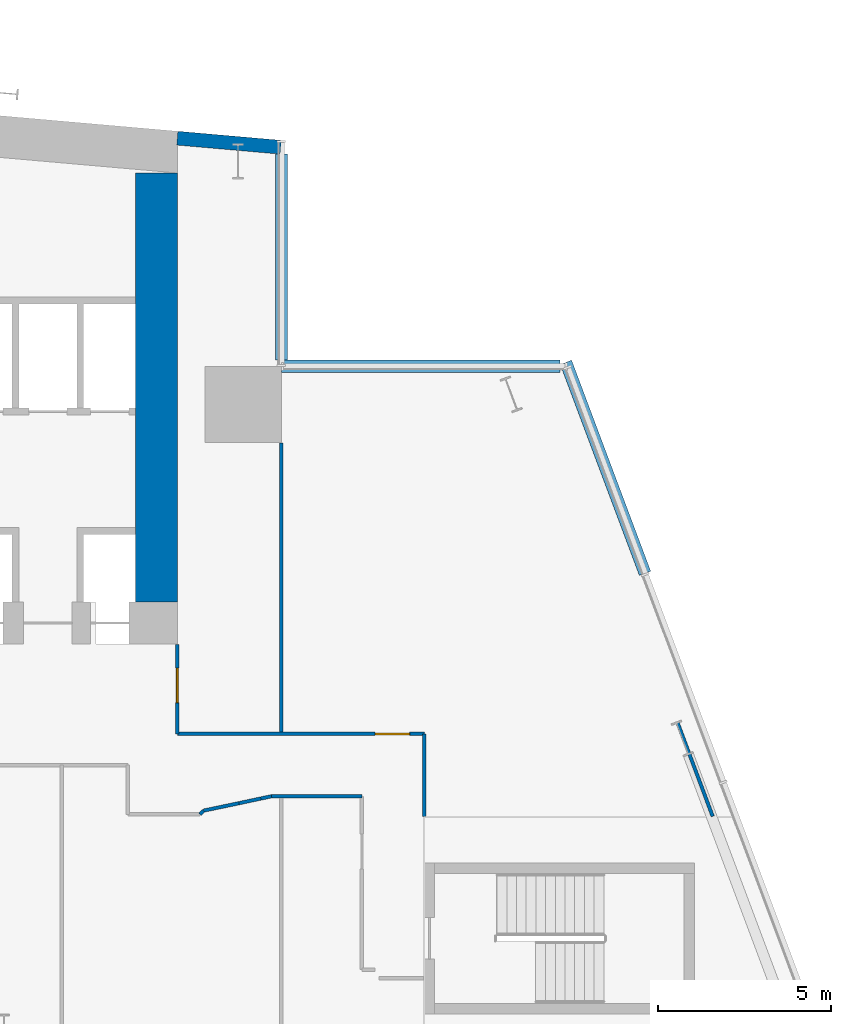
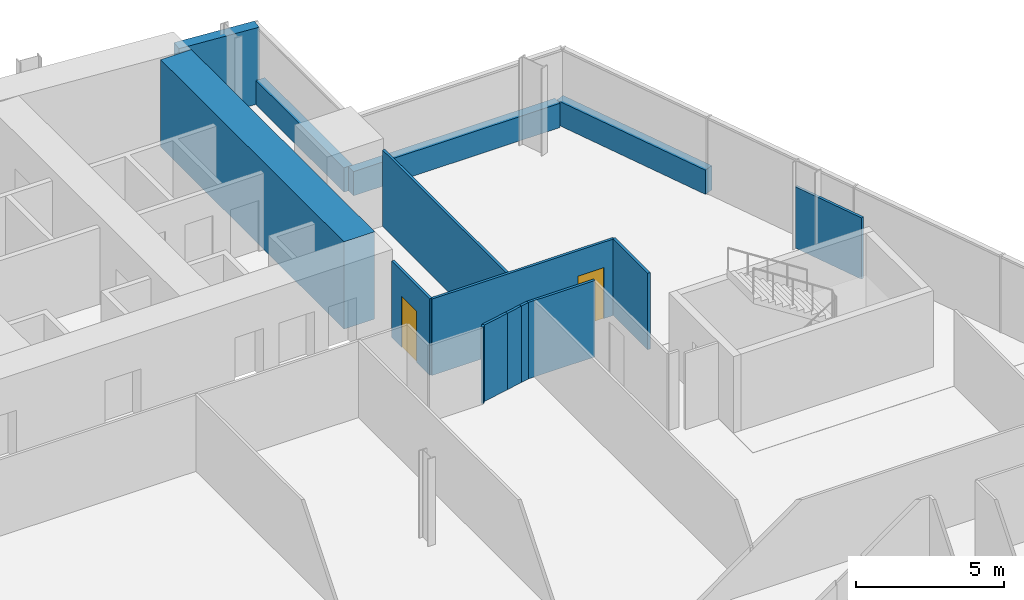
# One storey, part 19 of 24: 15 walls, 2 doors, 2 openings.
"""IFC4 building model written with IfcOpenShell, lengths in metres."""

from ifc_helpers import new_model, si_unit, direction, frame, frame_2d, origin, place, context, subcontext, project, spatial, rectangle, extrude, material, layer, layer_set, type_object, element, fill, save


model = new_model("IFC4")

# Units and contexts
model_context = context("Model", 3, precision=1e-05, world=origin(), true_north=direction((0.0, 1.0)))
body_context = subcontext(model_context, "Body", "Model", "MODEL_VIEW")
ifc_project = project(units=[si_unit("LENGTHUNIT", "METRE"), si_unit("AREAUNIT", "SQUARE_METRE"), si_unit("VOLUMEUNIT", "CUBIC_METRE"), si_unit("PLANEANGLEUNIT", "RADIAN"), si_unit("MASSUNIT", "GRAM", prefix="KILO")], contexts=[model_context])

# Site, building, storey
site_placement = place(None, origin())
site = spatial("IfcSite", under=ifc_project, at=site_placement, CompositionType="ELEMENT")
building_placement = place(site_placement, origin())
building = spatial("IfcBuilding", under=site, at=building_placement, Name="Wharfspan Tower", CompositionType="ELEMENT")
storey_placement = place(building_placement, frame((0.0, 0.0, 88.300049)))
storey = spatial("IfcBuildingStorey", under=building, at=storey_placement, Name="L19", CompositionType="ELEMENT", Elevation=88.300049)

# Wall, opening, door
ifc_material_1 = material(Name="Gypsum board on steel studs", Category="steel")
ifc_layer_1 = layer(ifc_material_1, 0.100098)
ifc_layer_set_1 = layer_set([ifc_layer_1], Name="Gypsum board on steel studs")
wall_type_1 = type_object("IfcWallType", Name="Compartment wall 100 EI 60", PredefinedType="PARTITIONING", material=ifc_layer_set_1)
wall_1_placement = place(storey_placement, frame((65.0, 31.399902, 0.0), z_axis=(0.0, 0.0, 1.0), x_axis=(0.0, 1.0, 0.0)))
wall_1 = element("IfcWall", 1, at=wall_1_placement, inside=storey, type_object=wall_type_1, Name="Partition L19.w043", PredefinedType="PARTITIONING", context=body_context, shape_type="SweptSolid", body=[
    extrude(rectangle(XDim=2.580078, YDim=0.100098, at=frame_2d((1.290039, 0.0))), origin(), (0.0, 0.0, 1.0), 3.149902),
])
opening_1_placement = place(wall_1_placement, frame((0.899902, 0.0, 0.0)))
opening_1 = element("IfcOpeningElement", 2, at=opening_1_placement, cuts=wall_1, Name="Opening A5-27", PredefinedType="OPENING", context=body_context, shape_type="SweptSolid", body=[
    extrude(rectangle(XDim=1.0, YDim=2.100098, at=frame_2d((0.5, 1.050049))), frame((0.0, 0.060059, 0.0), z_axis=(0.0, -1.0, 0.0), x_axis=(1.0, 0.0, 0.0)), (0.0, 0.0, 1.0), 0.120117),
])
ifc_material_2 = material(Name="Fire-rated timber door leaf in steel frame", Category="steel")
door_type = type_object("IfcDoorType", Name="Door 1000 FD30S Right", OperationType="SINGLE_SWING_RIGHT", PredefinedType="DOOR", material=ifc_material_2)
door_1_placement = place(opening_1_placement, origin())
door_1 = element("IfcDoor", 3, at=door_1_placement, inside=storey, type_object=door_type, Name="Door A5-27", OperationType="SINGLE_SWING_RIGHT", OverallHeight=2.100098, OverallWidth=1.0, PredefinedType="DOOR", context=body_context, shape_type="SweptSolid", body=[
    extrude(rectangle(XDim=1.0, YDim=2.100098, at=frame_2d((0.5, 1.050049))), frame((0.0, 0.024902, 0.0), z_axis=(0.0, -1.0, 0.0), x_axis=(1.0, 0.0, 0.0)), (0.0, 0.0, 1.0), 0.050049),
])
fill(opening_1, door_1)

wall_2_placement = place(storey_placement, frame((65.0, 31.399902, 0.0), z_axis=(0.0, 0.0, 1.0), x_axis=(1.0, 0.0, 0.0)))
wall_2 = element("IfcWall", 4, at=wall_2_placement, inside=storey, type_object=wall_type_1, Name="Partition L19.w044", PredefinedType="PARTITIONING", context=body_context, shape_type="SweptSolid", body=[
    extrude(rectangle(XDim=7.125, YDim=0.100098, at=frame_2d((3.5625, 0.0))), origin(), (0.0, 0.0, 1.0), 3.149902),
])
opening_2_placement = place(wall_2_placement, frame((5.705078, 0.0, 0.0)))
opening_2 = element("IfcOpeningElement", 5, at=opening_2_placement, cuts=wall_2, Name="Opening A5-26", PredefinedType="OPENING", context=body_context, shape_type="SweptSolid", body=[
    extrude(rectangle(XDim=1.0, YDim=2.100098, at=frame_2d((0.5, 1.050049))), frame((0.0, 0.060059, 0.0), z_axis=(0.0, -1.0, 0.0), x_axis=(1.0, 0.0, 0.0)), (0.0, 0.0, 1.0), 0.120117),
])
door_2_placement = place(opening_2_placement, origin())
door_2 = element("IfcDoor", 6, at=door_2_placement, inside=storey, type_object=door_type, Name="Door A5-26", OperationType="SINGLE_SWING_RIGHT", OverallHeight=2.100098, OverallWidth=1.0, PredefinedType="DOOR", context=body_context, shape_type="SweptSolid", body=[
    extrude(rectangle(XDim=1.0, YDim=2.100098, at=frame_2d((0.5, 1.050049))), frame((0.0, 0.024902, 0.0), z_axis=(0.0, -1.0, 0.0), x_axis=(1.0, 0.0, 0.0)), (0.0, 0.0, 1.0), 0.050049),
])
fill(opening_2, door_2)

# Walls
wall_3_placement = place(storey_placement, frame((65.655029, 29.074951, 0.0), z_axis=(0.0, 0.0, 1.0), x_axis=(0.671773, 0.740757, 0.0)))
element("IfcWall", 7, at=wall_3_placement, inside=storey, type_object=wall_type_1, Name="Partition L19.w046", PredefinedType="PARTITIONING", context=body_context, shape_type="SweptSolid", body=[
    extrude(rectangle(XDim=0.148682, YDim=0.100098, at=frame_2d((0.074219, 0.0))), origin(), (0.0, 0.0, 1.0), 3.149902),
])
wall_4_placement = place(storey_placement, frame((65.754883, 29.185059, 0.0), z_axis=(0.0, 0.0, 1.0), x_axis=(0.978739, 0.205118, 0.0)))
element("IfcWall", 8, at=wall_4_placement, inside=storey, type_object=wall_type_1, Name="Partition L19.w047", PredefinedType="PARTITIONING", context=body_context, shape_type="SweptSolid", body=[
    extrude(rectangle(XDim=1.047363, YDim=0.100098, at=frame_2d((0.523682, 0.0))), origin(), (0.0, 0.0, 1.0), 3.149902),
])
wall_5_placement = place(storey_placement, frame((66.780029, 29.399902, 0.0), z_axis=(0.0, 0.0, 1.0), x_axis=(0.977792, 0.209581, 0.0)))
element("IfcWall", 9, at=wall_5_placement, inside=storey, type_object=wall_type_1, Name="Partition L19.w048", PredefinedType="PARTITIONING", context=body_context, shape_type="SweptSolid", body=[
    extrude(rectangle(XDim=0.644287, YDim=0.100098, at=frame_2d((0.322266, 0.0))), origin(), (0.0, 0.0, 1.0), 3.149902),
])
wall_6_placement = place(storey_placement, frame((67.409912, 29.534912, 0.0), z_axis=(0.0, 0.0, 1.0), x_axis=(0.978604, 0.205738, 0.0)))
element("IfcWall", 10, at=wall_6_placement, inside=storey, type_object=wall_type_1, Name="Partition L19.w049", PredefinedType="PARTITIONING", context=body_context, shape_type="SweptSolid", body=[
    extrude(rectangle(XDim=0.316895, YDim=0.100098, at=frame_2d((0.158447, 0.0))), origin(), (0.0, 0.0, 1.0), 3.149902),
])
wall_7_placement = place(storey_placement, frame((67.719971, 29.600098, 0.0), z_axis=(0.0, 0.0, 1.0), x_axis=(1.0, 0.0, 0.0)))
element("IfcWall", 11, at=wall_7_placement, inside=storey, type_object=wall_type_1, Name="Partition L19.w050", PredefinedType="PARTITIONING", context=body_context, shape_type="SweptSolid", body=[
    extrude(rectangle(XDim=2.60498, YDim=0.100098, at=frame_2d((1.30249, 0.0))), origin(), (0.0, 0.0, 1.0), 3.149902),
])
wall_8_placement = place(storey_placement, frame((68.0, 31.399902, 0.0), z_axis=(0.0, 0.0, 1.0), x_axis=(0.0, 1.0, 0.0)))
element("IfcWall", 12, at=wall_8_placement, inside=storey, type_object=wall_type_1, Name="Partition L19.w052", PredefinedType="PARTITIONING", context=body_context, shape_type="SweptSolid", body=[
    extrude(rectangle(XDim=8.390137, YDim=0.100098, at=frame_2d((4.195068, 0.0))), origin(), (0.0, 0.0, 1.0), 3.149902),
])
wall_9_placement = place(storey_placement, frame((72.125, 29.02002, 0.0), z_axis=(0.0, 0.0, 1.0), x_axis=(0.0, 1.0, 0.0)))
element("IfcWall", 13, at=wall_9_placement, inside=storey, type_object=wall_type_1, Name="Partition L19.w057", PredefinedType="PARTITIONING", context=body_context, shape_type="SweptSolid", body=[
    extrude(rectangle(XDim=2.379883, YDim=0.100098, at=frame_2d((1.189941, 0.0))), origin(), (0.0, 0.0, 1.0), 3.149902),
])
ifc_material_3 = material(Name="Concrete C70/85", Category="concrete")
ifc_layer_2 = layer(ifc_material_3, 1.199951)
ifc_layer_set_2 = layer_set([ifc_layer_2], Name="Concrete C70/85")
wall_type_2 = type_object("IfcWallType", Name="Core wall 1200 C70/85", PredefinedType="SHEAR", material=ifc_layer_set_2)
wall_10_placement = place(storey_placement, frame((64.399902, 35.199951, 0.0), z_axis=(0.0, 0.0, 1.0), x_axis=(0.0, 1.0, 0.0)))
element("IfcWall", 14, at=wall_10_placement, inside=storey, type_object=wall_type_2, Name="Core cross wall EW1 L19", PredefinedType="SHEAR", context=body_context, shape_type="SweptSolid", body=[
    extrude(rectangle(XDim=12.382812, YDim=1.199951, at=frame_2d((6.191406, 0.0))), origin(), (0.0, 0.0, 1.0), 3.599854),
])
ifc_layer_3 = layer(ifc_material_1, 0.100098)
ifc_layer_set_3 = layer_set([ifc_layer_3], Name="Gypsum board on steel studs")
wall_type_3 = type_object("IfcWallType", Name="Partition 100", PredefinedType="PARTITIONING", material=ifc_layer_set_3)
wall_11_placement = place(storey_placement, frame((80.446289, 29.02002, 0.0), z_axis=(0.0, 0.0, 1.0), x_axis=(-0.350707, 0.936481, 0.0)))
element("IfcWall", 15, at=wall_11_placement, inside=storey, type_object=wall_type_3, Name="Partition L19.w064", PredefinedType="PARTITIONING", context=body_context, shape_type="SweptSolid", body=[
    extrude(rectangle(XDim=2.900879, YDim=0.100098, at=frame_2d((1.450439, 0.0))), origin(), (0.0, 0.0, 1.0), 2.530029),
])
ifc_material_4 = material(Name="Concrete C40/50", Category="concrete")
ifc_layer_4 = layer(ifc_material_4, 0.350098)
ifc_layer_set_4 = layer_set([ifc_layer_4], Name="Concrete C40/50")
wall_type_4 = type_object("IfcWallType", Name="SPANDREL EXPOSED CONCRETE 350", PredefinedType="SOLIDWALL", material=ifc_layer_set_4)
wall_12_placement = place(storey_placement, frame((78.494141, 36.029785, 0.0), z_axis=(0.0, 0.0, 1.0), x_axis=(-0.351108, 0.936338, 0.0)))
element("IfcWall", 16, at=wall_12_placement, inside=storey, type_object=wall_type_4, Name="Spandrel upstand L19 E 2", PredefinedType="SOLIDWALL", context=body_context, shape_type="SweptSolid", body=[
    extrude(rectangle(XDim=6.50293, YDim=0.350098, at=frame_2d((3.251465, 0.0))), origin(), (0.0, 0.0, 1.0), 1.0),
])
wall_13_placement = place(storey_placement, frame((76.047119, 42.004883, 0.0), z_axis=(0.0, 0.0, 1.0), x_axis=(-1.0, 0.0, 0.0)))
element("IfcWall", 17, at=wall_13_placement, inside=storey, type_object=wall_type_4, Name="Spandrel upstand L19 NRE-H", PredefinedType="SOLIDWALL", context=body_context, shape_type="SweptSolid", body=[
    extrude(rectangle(XDim=8.047119, YDim=0.350098, at=frame_2d((4.023438, 0.0))), origin(), (0.0, 0.0, 1.0), 1.0),
])
wall_14_placement = place(storey_placement, frame((68.004883, 42.179932, 0.0), z_axis=(0.0, 0.0, 1.0), x_axis=(0.0, 1.0, 0.0)))
element("IfcWall", 18, at=wall_14_placement, inside=storey, type_object=wall_type_4, Name="Spandrel upstand L19 NRE-V", PredefinedType="SOLIDWALL", context=body_context, shape_type="SweptSolid", body=[
    extrude(rectangle(XDim=5.946533, YDim=0.350098, at=frame_2d((2.973145, 0.0))), origin(), (0.0, 0.0, 1.0), 1.0),
])
ifc_layer_5 = layer(ifc_material_4, 0.399902)
ifc_layer_set_5 = layer_set([ifc_layer_5], Name="Concrete C40/50")
wall_type_5 = type_object("IfcWallType", Name="WALL EXPOSED CONCRETE 400", PredefinedType="SOLIDWALL", material=ifc_layer_set_5)
wall_15_placement = place(storey_placement, frame((67.982666, 48.325684, 0.0), z_axis=(0.0, 0.0, 1.0), x_axis=(-0.996194, 0.087168, 0.0)))
element("IfcWall", 19, at=wall_15_placement, inside=storey, type_object=wall_type_5, Name="Rear wall N2", PredefinedType="SOLIDWALL", context=body_context, shape_type="SweptSolid", body=[
    extrude(rectangle(XDim=2.994141, YDim=0.399902, at=frame_2d((1.49707, 0.0))), origin(), (0.0, 0.0, 1.0), 3.149902),
])

save(model, "model.ifc")
